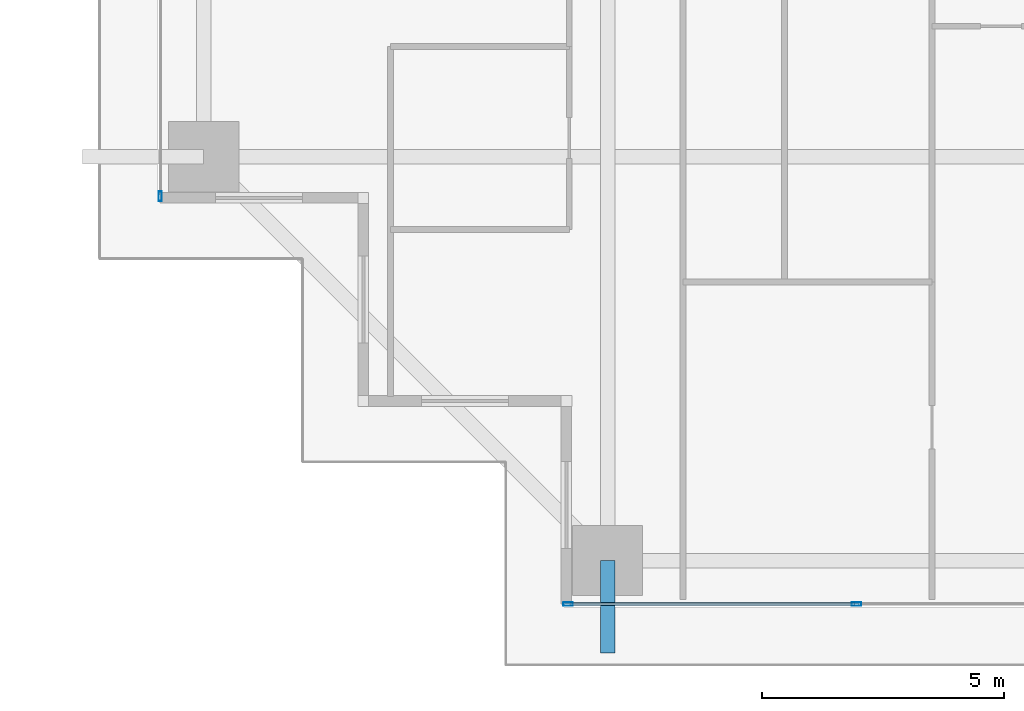
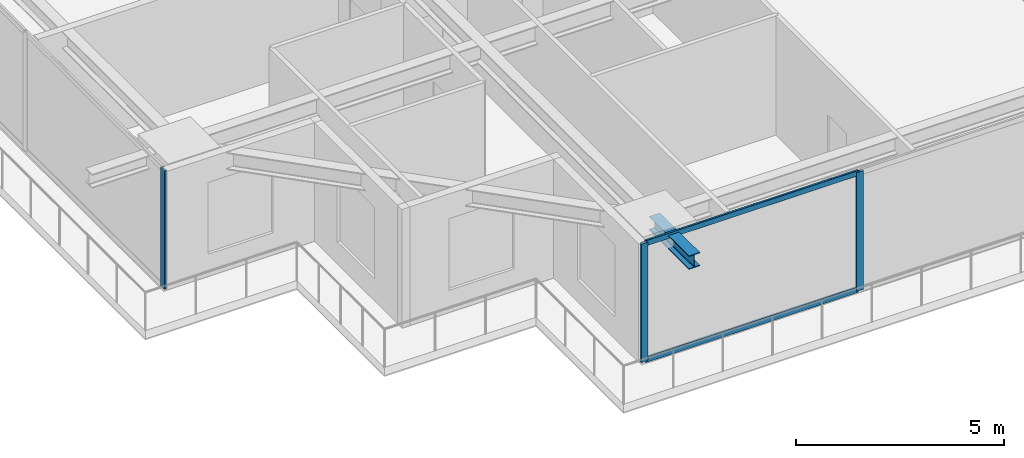
# One storey, part 2 of 38: 5 members, 1 beam, 2 elements without a shape of their own.
"""IFC4 building model written with IfcOpenShell, lengths in metres."""

import ifcopenshell
import ifcopenshell.guid

model = None  # the IFC model being written
_history = None  # IfcOwnerHistory: only IFC2X3 demands one
_inside = {}  # id of a spatial element -> (the spatial element, [elements in it])
_under = {}  # id of a project, library or spatial element -> (it, [spatial elements below it])
_declared = {}  # id of a project -> (the project, [libraries it declares])
_typed = {}  # id of a type object -> (the type object, [elements of that type])
_made_of = {}  # id of a material, layer set ... -> (it, [elements and type objects made of it])


def new_model(schema):
    """Start an empty IFC model of exactly this schema.

    Asked for "IFC4X3", IfcOpenShell would pick the latest addendum, in which some entities
    have other attributes; the version numbers below select the first issue.
    IFC2X3 requires an IfcOwnerHistory on every rooted entity: one is made here for all.
    """
    global model, _history
    if schema == "IFC4X3":
        model = ifcopenshell.file(schema_version=(4, 3, 0, 0))
    else:
        model = ifcopenshell.file(schema=schema)
    _inside.clear()
    _under.clear()
    _declared.clear()
    _typed.clear()
    _made_of.clear()
    _history = None
    if model.schema == "IFC2X3":
        org = make("IfcOrganization", Name="unknown")
        user = make(
            "IfcPersonAndOrganization",
            ThePerson=make("IfcPerson", FamilyName="unknown"),
            TheOrganization=org,
        )
        app = make(
            "IfcApplication",
            ApplicationDeveloper=org,
            Version="unknown",
            ApplicationFullName="unknown",
            ApplicationIdentifier="unknown",
        )
        _history = make(
            "IfcOwnerHistory",
            OwningUser=user,
            OwningApplication=app,
            ChangeAction="ADDED",
            CreationDate=0,
        )
    return model


def make(cls, **values):
    """One entity of the class cls with the attributes given. An attribute that is None is left unset."""
    return model.create_entity(
        cls, **{name: value for name, value in values.items() if value is not None}
    )


def rooted(cls, **values):
    """An entity with a GlobalId (a new one), such as an element, a storey or a relation."""
    return make(cls, GlobalId=ifcopenshell.guid.new(), OwnerHistory=_history, **values)


def si_unit(unit_type, name, prefix=None):
    """IfcSIUnit, for example si_unit("LENGTHUNIT", "METRE", prefix="MILLI")."""
    return make("IfcSIUnit", UnitType=unit_type, Prefix=prefix, Name=name)


def assignment(units):
    """IfcUnitAssignment: the units of a project."""
    return None if units is None else make("IfcUnitAssignment", Units=units)


def point(xyz):
    """IfcCartesianPoint."""
    return None if xyz is None else make("IfcCartesianPoint", Coordinates=xyz)


def direction(xyz):
    """IfcDirection."""
    return None if xyz is None else make("IfcDirection", DirectionRatios=xyz)


def frame(location, z_axis=None, x_axis=None):
    """IfcAxis2Placement3D, a coordinate frame: its origin and axes. An axis left out is left unset."""
    return make(
        "IfcAxis2Placement3D",
        Location=point(location),
        Axis=direction(z_axis),
        RefDirection=direction(x_axis),
    )


def frame_2d(location, x_axis=None):
    """IfcAxis2Placement2D, a coordinate frame in the plane: its origin and x axis."""
    return make(
        "IfcAxis2Placement2D", Location=point(location), RefDirection=direction(x_axis)
    )


def origin():
    """The frame at (0, 0, 0) with its axes left unset."""
    return frame((0.0, 0.0, 0.0))


def origin_2d():
    """The frame at (0, 0) in the plane with its x axis left unset."""
    return frame_2d((0.0, 0.0))


def place(relative_to, where):
    """IfcLocalPlacement: puts the frame where relative to a parent placement (None: the world)."""
    return make(
        "IfcLocalPlacement", PlacementRelTo=relative_to, RelativePlacement=where
    )


def context(
    kind, dimensions, precision=None, world=None, true_north=None, identifier=None
):
    """IfcGeometricRepresentationContext, for example the 3D "Model" context."""
    return make(
        "IfcGeometricRepresentationContext",
        ContextIdentifier=identifier,
        ContextType=kind,
        CoordinateSpaceDimension=dimensions,
        Precision=precision,
        WorldCoordinateSystem=world,
        TrueNorth=true_north,
    )


def subcontext(parent, identifier, kind, view, scale=None):
    """IfcGeometricRepresentationSubContext, for example "Body" below "Model"."""
    return make(
        "IfcGeometricRepresentationSubContext",
        ContextIdentifier=identifier,
        ContextType=kind,
        ParentContext=parent,
        TargetScale=scale,
        TargetView=view,
    )


def project(units=None, contexts=None):
    """IfcProject with its units and contexts."""
    return rooted(
        "IfcProject",
        Name="project",
        RepresentationContexts=contexts,
        UnitsInContext=assignment(units),
    )


def spatial(cls, under=None, at=None, **own):
    """A site, building, storey or space (cls), placed at a placement, below another one or the project."""
    s = rooted(cls, ObjectPlacement=at, **own)
    if under is not None:
        _under.setdefault(under.id(), (under, []))[1].append(s)
    return s


def profile(cls, at=None, kind="AREA", **sizes):
    """A parametric profile (cls). Its sizes go by their IFC names, for example OverallWidth=200.0."""
    return make(cls, ProfileType=kind, Position=at, **sizes)


def hollow_rectangle(**sizes):
    """IfcRectangleHollowProfileDef."""
    return profile("IfcRectangleHollowProfileDef", **sizes)


def i_section(**sizes):
    """IfcIShapeProfileDef."""
    return profile("IfcIShapeProfileDef", **sizes)


def extrude(swept, where, along, depth):
    """IfcExtrudedAreaSolid: the profile swept, set in the frame where, extruded along a direction by depth."""
    return make(
        "IfcExtrudedAreaSolid",
        SweptArea=swept,
        Position=where,
        ExtrudedDirection=direction(along),
        Depth=depth,
    )


def shape(context_of_items, identifier, shape_type, items):
    """IfcShapeRepresentation: the items that make up one representation, for example the "Body"."""
    return make(
        "IfcShapeRepresentation",
        ContextOfItems=context_of_items,
        RepresentationIdentifier=identifier,
        RepresentationType=shape_type,
        Items=items,
    )


def source(mapping_origin, context_of_items, identifier, shape_type, items):
    """IfcRepresentationMap: a shape defined once, which mapped items show again and again."""
    return make(
        "IfcRepresentationMap",
        MappingOrigin=mapping_origin,
        MappedRepresentation=shape(context_of_items, identifier, shape_type, items),
    )


def transform(
    local_origin,
    x_axis=None,
    y_axis=None,
    z_axis=None,
    scale=None,
    scale2=None,
    scale3=None,
    uniform=True,
):
    """IfcCartesianTransformationOperator3D, or its non-uniform kind. x_axis, y_axis, z_axis: its Axis1, 2, 3."""
    if uniform:
        return make(
            "IfcCartesianTransformationOperator3D",
            Axis1=direction(x_axis),
            Axis2=direction(y_axis),
            LocalOrigin=point(local_origin),
            Scale=scale,
            Axis3=direction(z_axis),
        )
    return make(
        "IfcCartesianTransformationOperator3DnonUniform",
        Axis1=direction(x_axis),
        Axis2=direction(y_axis),
        LocalOrigin=point(local_origin),
        Scale=scale,
        Axis3=direction(z_axis),
        Scale2=scale2,
        Scale3=scale3,
    )


def mapped(mapping_source, mapping_target):
    """IfcMappedItem: shows the shape of a source again, moved by a transform."""
    return make(
        "IfcMappedItem", MappingSource=mapping_source, MappingTarget=mapping_target
    )


def material(Name=None, Category=None):
    """IfcMaterial."""
    return make("IfcMaterial", Name=Name, Category=Category)


def layer(
    of_material, thickness, ventilated=None, Name=None, Category=None, Priority=None
):
    """IfcMaterialLayer: one layer of a wall or slab, of a material (None: an air gap)."""
    return make(
        "IfcMaterialLayer",
        Material=of_material,
        LayerThickness=thickness,
        IsVentilated=ventilated,
        Name=Name,
        Category=Category,
        Priority=Priority,
    )


def layer_set(layers, Name=None):
    """IfcMaterialLayerSet."""
    return make("IfcMaterialLayerSet", MaterialLayers=layers, LayerSetName=Name)


def material_profile(
    of_material, cross_section, Name=None, Category=None, Priority=None
):
    """IfcMaterialProfile: a cross section and its material."""
    return make(
        "IfcMaterialProfile",
        Name=Name,
        Material=of_material,
        Profile=cross_section,
        Priority=Priority,
        Category=Category,
    )


def profile_set(profiles, Name=None, composite=None):
    """IfcMaterialProfileSet."""
    return make(
        "IfcMaterialProfileSet",
        Name=Name,
        MaterialProfiles=profiles,
        CompositeProfile=composite,
    )


def made_of(thing, what):
    """Note that an element or type object is made of a material, layer set ...; save() writes the relation."""
    if what is not None:
        _made_of.setdefault(what.id(), (what, []))[1].append(thing)
    return thing


def type_object(cls, material=None, **own):
    """A type object (cls), such as IfcWallType, which elements share."""
    return made_of(rooted(cls, **own), material)


def element(
    cls,
    number,
    at=None,
    inside=None,
    cuts=None,
    type_object=None,
    material=None,
    context=None,
    identifier="Body",
    shape_type=None,
    held_by="IfcProductDefinitionShape",
    body=None,
    shapes=None,
    **own,
):
    """One element of the class cls, such as IfcWall. Its Tag is "e" and its number.

    at: its placement. inside: the storey or other place that contains it. cuts: it is an
    opening in that element (IfcRelVoidsElement). A single representation is given by context,
    identifier, shape_type and body (its items); several are given by shapes. held_by: the class
    of the entity that holds the representations. save() writes the other relations.
    """
    e = rooted(cls, Tag="e%d" % number, ObjectPlacement=at, **own)
    if body is not None:
        shapes = [shape(context, identifier, shape_type, body)]
    if shapes is not None:
        e.Representation = make(held_by, Representations=shapes)
    if inside is not None:
        _inside.setdefault(inside.id(), (inside, []))[1].append(e)
    if cuts is not None:
        rooted(
            "IfcRelVoidsElement", RelatingBuildingElement=cuts, RelatedOpeningElement=e
        )
    if type_object is not None:
        _typed.setdefault(type_object.id(), (type_object, []))[1].append(e)
    return made_of(e, material)


def aggregate(whole, parts):
    """IfcRelAggregates: a whole, such as a stair, and the parts it consists of."""
    return rooted("IfcRelAggregates", RelatingObject=whole, RelatedObjects=parts)


def save(model, path):
    """Write the relations noted so far, then the file.

    IfcRelAggregates (storeys below a building ...), IfcRelContainedInSpatialStructure (elements
    in a storey), IfcRelDefinesByType, IfcRelAssociatesMaterial and IfcRelDeclares: one each for
    every whole, place, type object, material and project.
    """
    for whole, parts in _under.values():
        aggregate(whole, parts)
    for where, things in _inside.values():
        rooted(
            "IfcRelContainedInSpatialStructure",
            RelatedElements=things,
            RelatingStructure=where,
        )
    for kind, things in _typed.values():
        rooted("IfcRelDefinesByType", RelatedObjects=things, RelatingType=kind)
    for what, things in _made_of.values():
        rooted("IfcRelAssociatesMaterial", RelatedObjects=things, RelatingMaterial=what)
    for by, libraries in _declared.values():
        rooted("IfcRelDeclares", RelatingContext=by, RelatedDefinitions=libraries)
    model.write(path)


model = new_model("IFC4")

# Units and contexts
model_context = context("Model", 3, precision=1e-05, world=origin(), true_north=direction((0.0, 1.0)))
body_context = subcontext(model_context, "Body", "Model", "MODEL_VIEW")
ifc_project = project(units=[si_unit("LENGTHUNIT", "METRE"), si_unit("AREAUNIT", "SQUARE_METRE"), si_unit("VOLUMEUNIT", "CUBIC_METRE"), si_unit("PLANEANGLEUNIT", "RADIAN"), si_unit("MASSUNIT", "GRAM", prefix="KILO")], contexts=[model_context])

# Site, building, storey
site_placement = place(None, origin())
site = spatial("IfcSite", under=ifc_project, at=site_placement, CompositionType="ELEMENT")
building_placement = place(site_placement, origin())
building = spatial("IfcBuilding", under=site, at=building_placement, Name="Serunith Strait Residences", CompositionType="ELEMENT")
storey_placement = place(building_placement, frame((0.0, 0.0, 82.949951171875)))
storey = spatial("IfcBuildingStorey", under=building, at=storey_placement, Name="L20", CompositionType="ELEMENT", Elevation=82.949951171875)

# Beam
ifc_material_1 = material(Name="Steel S355J2", Category="steel")
ifc_material_profile_1 = material_profile(ifc_material_1, i_section(OverallWidth=0.300048828125, OverallDepth=0.39990234375, WebThickness=0.013427734375, FlangeThickness=0.02392578125, FilletRadius=0.027099609375, at=origin_2d()), Name="HEB 400")
ifc_profile_set_1 = profile_set([ifc_material_profile_1], Name="Steel S355J2")
beam_type = type_object("IfcBeamType", Name="BM-HEB400", PredefinedType="BEAM", material=ifc_profile_set_1)
shared_shape_1 = source(origin(), body_context, "Body", "SweptSolid", [
    extrude(i_section(OverallWidth=0.300048828125, OverallDepth=0.39990234375, WebThickness=0.013427734375, FlangeThickness=0.02392578125, FilletRadius=0.027099609375, at=origin_2d()), origin(), (0.0, 0.0, 1.0), 1.91015625),
])
beam_placement = place(storey_placement, frame((15.25, 1.10009765625, 3.257080078125), z_axis=(0.0, -1.0, 0.0), x_axis=(1.0, 0.0, 0.0)))
element("IfcBeam", 1, at=beam_placement, inside=storey, type_object=beam_type, Name="L21 Cantilevered Balcony Rib TC-S1", PredefinedType="BEAM", context=body_context, shape_type="MappedRepresentation", body=[
    mapped(shared_shape_1, transform((0.0, 0.0, 0.0), scale=1.0)),
])

# Curtain wall, members
ifc_material_2 = material(Name="Pale-Champagne Anodised Aluminium", Category="aluminium")
ifc_layer = layer(ifc_material_2, 0.199951171875, Name="Pale-Champagne Anodised Aluminium")
ifc_layer_set = layer_set([ifc_layer], Name="Pale-Champagne Anodised Aluminium")
curtain_wall_type = type_object("IfcCurtainWallType", Name="CW-SYS1", PredefinedType="NOTDEFINED", material=ifc_layer_set)
curtain_wall_1_placement = place(storey_placement, origin())
curtain_wall_1 = element("IfcCurtainWall", 2, at=curtain_wall_1_placement, inside=storey, type_object=curtain_wall_type, Name="L20 S Unitised Fritted Curtain Wall", PredefinedType="NOTDEFINED")
ifc_material_profile_2 = material_profile(ifc_material_2, hollow_rectangle(XDim=0.070068359375, YDim=0.199951171875, WallThickness=0.00390625, InnerFilletRadius=0.006103515625, OuterFilletRadius=0.010009765625, at=origin_2d()), Name="ALU 200x70x4")
ifc_profile_set_2 = profile_set([ifc_material_profile_2], Name="Pale-Champagne Anodised Aluminium")
member_type_1 = type_object("IfcMemberType", Name="CW-SYS1-MULL", PredefinedType="MULLION", material=ifc_profile_set_2)
shared_shape_2 = source(origin(), body_context, "Body", "SweptSolid", [
    extrude(hollow_rectangle(XDim=0.070068359375, YDim=0.199951171875, WallThickness=0.00390625, InnerFilletRadius=0.006103515625, OuterFilletRadius=0.010009765625, at=origin_2d()), origin(), (0.0, 0.0, 1.0), 3.47509765625),
])
member_1_placement = place(storey_placement, frame((14.43505859375, 0.199951171875, 0.0), z_axis=(0.0, 0.0, 1.0), x_axis=(0.0, 1.0, 0.0)))
member_1 = element("IfcMember", 3, at=member_1_placement, type_object=member_type_1, Name="CW-1 mullion 1", PredefinedType="MULLION", context=body_context, shape_type="MappedRepresentation", body=[
    mapped(shared_shape_2, transform((0.0, 0.0, 0.0), scale=1.0)),
])
member_2_placement = place(storey_placement, frame((20.39990234375, 0.199951171875, 0.0), z_axis=(0.0, 0.0, 1.0), x_axis=(0.0, 1.0, 0.0)))
member_2 = element("IfcMember", 4, at=member_2_placement, type_object=member_type_1, Name="CW-1 mullion 2", PredefinedType="MULLION", context=body_context, shape_type="MappedRepresentation", body=[
    mapped(shared_shape_2, transform((0.0, 0.0, 0.0), scale=1.0)),
])

# Curtain wall, member
curtain_wall_2_placement = place(storey_placement, origin())
curtain_wall_2 = element("IfcCurtainWall", 5, at=curtain_wall_2_placement, inside=storey, type_object=curtain_wall_type, Name="L20 W Unitised Fritted Curtain Wall", PredefinedType="NOTDEFINED")
member_3_placement = place(storey_placement, frame((6.0, 8.635009765625, 0.0), z_axis=(0.0, 0.0, 1.0), x_axis=(1.0, 0.0, 0.0)))
member_3 = element("IfcMember", 6, at=member_3_placement, type_object=member_type_1, Name="CW-1 mullion 6", PredefinedType="MULLION", context=body_context, shape_type="MappedRepresentation", body=[
    mapped(shared_shape_2, transform((0.0, 0.0, 0.0), scale=1.0)),
])
aggregate(curtain_wall_2, [member_3])

# Member
ifc_material_profile_3 = material_profile(ifc_material_2, hollow_rectangle(XDim=0.06005859375, YDim=0.159912109375, WallThickness=0.00341796875, InnerFilletRadius=0.00537109375, OuterFilletRadius=0.0087890625, at=origin_2d()), Name="ALU 160x60x3.5")
ifc_profile_set_3 = profile_set([ifc_material_profile_3], Name="Pale-Champagne Anodised Aluminium")
member_type_2 = type_object("IfcMemberType", Name="CW-SYS1-TRAN", PredefinedType="USERDEFINED", material=ifc_profile_set_3)
shared_shape_3 = source(origin(), body_context, "Body", "SweptSolid", [
    extrude(hollow_rectangle(XDim=0.06005859375, YDim=0.159912109375, WallThickness=0.00341796875, InnerFilletRadius=0.00537109375, OuterFilletRadius=0.0087890625, at=origin_2d()), origin(), (0.0, 0.0, 1.0), 5.89501953125),
])
member_4_placement = place(storey_placement, frame((14.469970703125, 0.199951171875, 0.030029296875), z_axis=(1.0, 0.0, 0.0), x_axis=(0.0, 1.0, 0.0)))
member_4 = element("IfcMember", 7, at=member_4_placement, type_object=member_type_2, Name="CW-1 transom 1.1", ObjectType="TRANSOM", PredefinedType="USERDEFINED", context=body_context, shape_type="MappedRepresentation", body=[
    mapped(shared_shape_3, transform((0.0, 0.0, 0.0), scale=1.0)),
])

member_5_placement = place(storey_placement, frame((14.469970703125, 0.199951171875, 3.445068359375), z_axis=(1.0, 0.0, 0.0), x_axis=(0.0, 1.0, 0.0)))
member_5 = element("IfcMember", 8, at=member_5_placement, type_object=member_type_2, Name="CW-1 transom 1.2", ObjectType="TRANSOM", PredefinedType="USERDEFINED", context=body_context, shape_type="MappedRepresentation", body=[
    mapped(shared_shape_3, transform((0.0, 0.0, 0.0), scale=1.0)),
])

aggregate(curtain_wall_1, [member_1, member_2, member_4, member_5])

save(model, "model.ifc")
